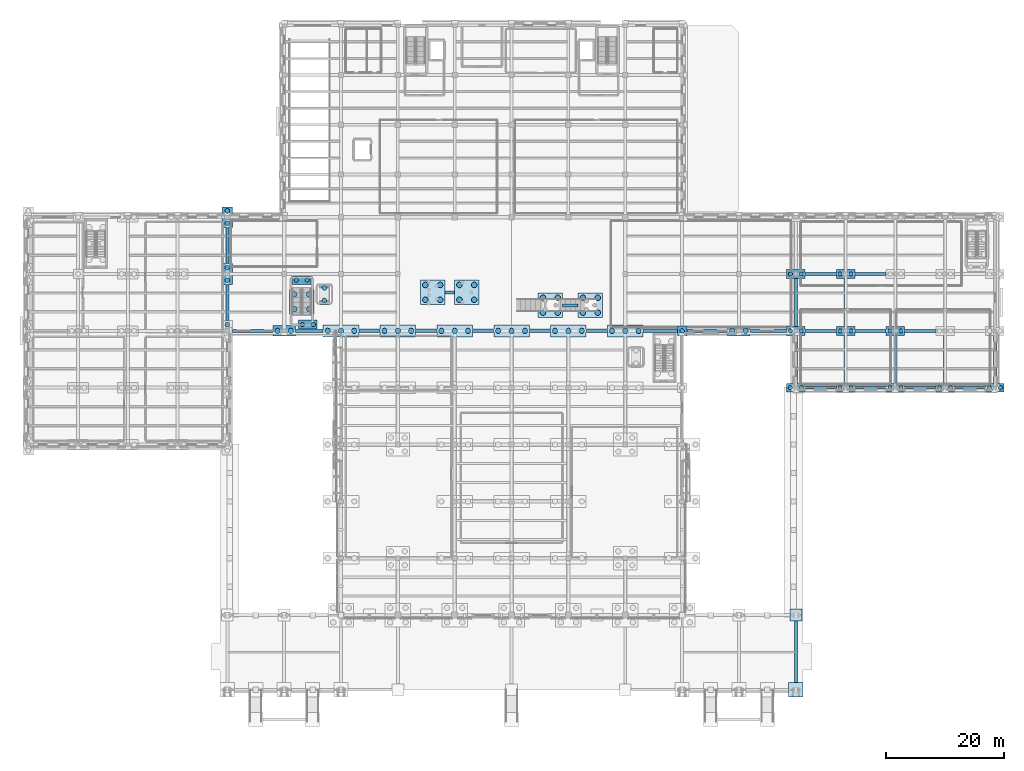
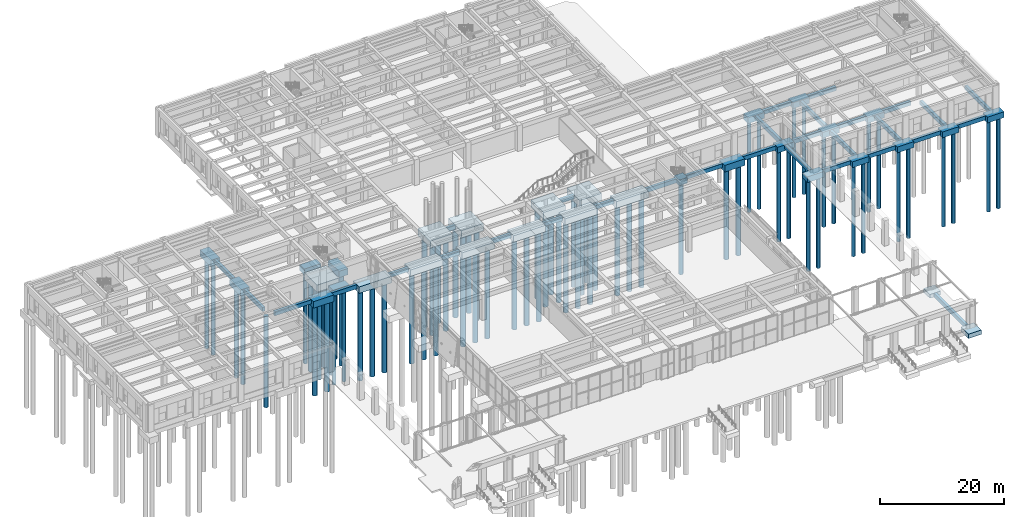
# One storey, part 4 of 51: 74 piles, 62 footings.
"""IFC4 building model written with IfcOpenShell, lengths in metres."""

from ifc_helpers import new_model, si_unit, direction, frame, origin, origin_2d, place, context, subcontext, project, spatial, rectangle, circle, extrude, material, material_profile, profile_set, type_object, element, save


model = new_model("IFC4")

# Units and contexts
model_context = context("Model", 3, precision=1e-05, world=origin(), true_north=direction((0.0, 1.0)))
body_context = subcontext(model_context, "Body", "Model", "MODEL_VIEW")
ifc_project = project(units=[si_unit("LENGTHUNIT", "METRE"), si_unit("AREAUNIT", "SQUARE_METRE"), si_unit("VOLUMEUNIT", "CUBIC_METRE"), si_unit("PLANEANGLEUNIT", "RADIAN"), si_unit("MASSUNIT", "GRAM", prefix="KILO")], contexts=[model_context])

# Site, building, storey
site_placement = place(None, origin())
site = spatial("IfcSite", under=ifc_project, at=site_placement, CompositionType="ELEMENT")
building_placement = place(site_placement, origin())
building = spatial("IfcBuilding", under=site, at=building_placement, Name="Bempovik Park Faculty of Sciences", CompositionType="ELEMENT")
storey_placement = place(building_placement, origin())
storey = spatial("IfcBuildingStorey", under=building, at=storey_placement, Name="L00", CompositionType="ELEMENT", Elevation=0.0)

# Footings
ifc_material = material(Name="Concrete C35/45", Category="concrete")
footing_type_1 = type_object("IfcFootingType", Name="F-19 Pile Cap 3100x1500x1150", PredefinedType="PILE_CAP", material=ifc_material)
for number, where, z_axis, x_axis, name in (
    (1, (136.800048828125, 58.199951171875, -1.510009765625), (0.0, 0.0, 1.0), (1.0, 0.0, 0.0), "Footing FT-L0-1368-582"),
    (2, (136.800048828125, 67.800048828125, -1.510009765625), (0.0, 0.0, 1.0), (1.0, 0.0, 0.0), "Footing FT-L0-1368-678"),
    (3, (136.800048828125, 77.39990234375, -1.510009765625), (0.0, 0.0, 1.0), (1.0, 0.0, 0.0), "Footing FT-L0-1368-774"),
    (4, (145.199951171875, 58.199951171875, -1.510009765625), (0.0, 0.0, 1.0), (1.0, 0.0, 0.0), "Footing FT-L0-1452-582"),
    (5, (145.199951171875, 67.800048828125, -1.510009765625), (0.0, 0.0, 1.0), (1.0, 0.0, 0.0), "Footing FT-L0-1452-678"),
    (6, (145.199951171875, 77.39990234375, -1.510009765625), (0.0, 0.0, 1.0), (1.0, 0.0, 0.0), "Footing FT-L0-1452-774"),
    (7, (153.60009765625, 58.199951171875, -1.510009765625), (0.0, 0.0, 1.0), (1.0, 0.0, 0.0), "Footing FT-L0-1536-582"),
    (8, (153.60009765625, 67.800048828125, -1.510009765625), (0.0, 0.0, 1.0), (1.0, 0.0, 0.0), "Footing FT-L0-1536-678"),
    (9, (162.0, 58.199951171875, -1.510009765625), (0.0, 0.0, 1.0), (1.0, 0.0, 0.0), "Footing FT-L0-1620-582"),
    (10, (170.39990234375, 58.199951171875, -1.510009765625), (0.0, 0.0, 1.0), (1.0, 0.0, 0.0), "Footing FT-L0-1704-582"),
    (11, (54.39990234375, 68.85009765625, -1.510009765625), (0.0, 0.0, 1.0), (1.0, 0.0, 0.0), "Footing FT-ST4-S"),
    (12, (53.375, 76.35009765625, -1.510009765625), (0.0, 0.0, 1.0), (1.0, 0.0, 0.0), "Footing FT-ST4-N"),
):
    element("IfcFooting", number, at=place(storey_placement, frame(where, z_axis=z_axis, x_axis=x_axis)), inside=storey, type_object=footing_type_1, Name=name, PredefinedType="PILE_CAP", context=body_context, shape_type="SweptSolid", body=[
        extrude(rectangle(XDim=3.10009765625, YDim=1.5, at=origin_2d()), origin(), (0.0, 0.0, 1.0), 1.14990234375),
    ])
footing_type_2 = type_object("IfcFootingType", Name="F-21 Pile Cap 4100x4100x1400", PredefinedType="PILE_CAP", material=ifc_material)
for number, where, z_axis, x_axis, name in (
    (13, (53.375, 72.699951171875, -1.760009765625), (0.0, 0.0, 1.0), (1.0, 0.0, 0.0), "Footing FT-ST4-M"),
    (14, (95.35009765625, 72.125, -1.760009765625), (0.0, 0.0, 1.0), (1.0, 0.0, 0.0), "Footing FT-MON-1M"),
    (15, (102.10009765625, 72.125, -1.760009765625), (0.0, 0.0, 1.0), (1.0, 0.0, 0.0), "Footing FT-MON-1A"),
    (16, (75.5, 74.300048828125, -1.760009765625), (0.0, 0.0, 1.0), (1.0, 0.0, 0.0), "Footing FT-MON-2D"),
    (17, (81.25, 74.300048828125, -1.760009765625), (0.0, 0.0, 1.0), (1.0, 0.0, 0.0), "Footing FT-MON-2M"),
):
    element("IfcFooting", number, at=place(storey_placement, frame(where, z_axis=z_axis, x_axis=x_axis)), inside=storey, type_object=footing_type_2, Name=name, PredefinedType="PILE_CAP", context=body_context, shape_type="SweptSolid", body=[
        extrude(rectangle(XDim=4.10009765625, YDim=4.10009765625, at=origin_2d()), origin(), (0.0, 0.0, 1.0), 1.39990234375),
    ])
footing_type_3 = type_object("IfcFootingType", Name="F-28 Pile Cap 6000x2000x1300", PredefinedType="PILE_CAP", material=ifc_material)
for number, where, z_axis, x_axis, name in (
    (18, (60.0, 67.800048828125, -1.66015625), (0.0, 0.0, 1.0), (1.0, 0.0, 0.0), "Footing FT-L0-600-678"),
    (19, (69.60009765625, 67.800048828125, -1.66015625), (0.0, 0.0, 1.0), (1.0, 0.0, 0.0), "Footing FT-L0-696-678"),
    (20, (79.199951171875, 67.800048828125, -1.66015625), (0.0, 0.0, 1.0), (1.0, 0.0, 0.0), "Footing FT-L0-792-678"),
    (21, (88.800048828125, 67.800048828125, -1.66015625), (0.0, 0.0, 1.0), (1.0, 0.0, 0.0), "Footing FT-L0-888-678"),
    (22, (98.39990234375, 67.800048828125, -1.66015625), (0.0, 0.0, 1.0), (1.0, 0.0, 0.0), "Footing FT-L0-984-678"),
    (23, (108.0, 67.800048828125, -1.66015625), (0.0, 0.0, 1.0), (1.0, 0.0, 0.0), "Footing FT-L0-1080-678"),
):
    element("IfcFooting", number, at=place(storey_placement, frame(where, z_axis=z_axis, x_axis=x_axis)), inside=storey, type_object=footing_type_3, Name=name, PredefinedType="PILE_CAP", context=body_context, shape_type="SweptSolid", body=[
        extrude(rectangle(XDim=6.0, YDim=2.0, at=origin_2d()), origin(), (0.0, 0.0, 1.0), 1.300048828125),
    ])
footing_type_4 = type_object("IfcFootingType", Name="F-32 Pad Footing 2400x2400x850", PredefinedType="PAD_FOOTING", material=ifc_material)
footing_1_placement = place(storey_placement, frame((136.800048828125, 7.199951171875, -1.18994140625), z_axis=(0.0, 0.0, 1.0), x_axis=(1.0, 0.0, 0.0)))
element("IfcFooting", 24, at=footing_1_placement, inside=storey, type_object=footing_type_4, Name="Footing PAD-A-1368", PredefinedType="PAD_FOOTING", context=body_context, shape_type="SweptSolid", body=[
    extrude(rectangle(XDim=2.39990234375, YDim=2.39990234375, at=origin_2d()), origin(), (0.0, 0.0, 1.0), 0.85009765625),
])
footing_type_5 = type_object("IfcFootingType", Name="F-34 Pile Cap 3800x1800x1300", PredefinedType="PILE_CAP", material=ifc_material)
for number, where, z_axis, x_axis, name in (
    (25, (50.39990234375, 67.800048828125, -1.66015625), (0.0, 0.0, 1.0), (1.0, 0.0, 0.0), "Footing FT-L0-504-678"),
    (26, (127.199951171875, 67.800048828125, -1.66015625), (0.0, 0.0, 1.0), (1.0, 0.0, 0.0), "Footing FT-L0-1272-678"),
):
    element("IfcFooting", number, at=place(storey_placement, frame(where, z_axis=z_axis, x_axis=x_axis)), inside=storey, type_object=footing_type_5, Name=name, PredefinedType="PILE_CAP", context=body_context, shape_type="SweptSolid", body=[
        extrude(rectangle(XDim=3.800048828125, YDim=1.800048828125, at=origin_2d()), origin(), (0.0, 0.0, 1.0), 1.300048828125),
    ])
footing_type_6 = type_object("IfcFootingType", Name="F-35 Pile Cap 1600x1600x1100", PredefinedType="PILE_CAP", material=ifc_material)
footing_2_placement = place(storey_placement, frame((117.60009765625, 67.800048828125, -1.4599609375), z_axis=(0.0, 0.0, 1.0), x_axis=(1.0, 0.0, 0.0)))
element("IfcFooting", 27, at=footing_2_placement, inside=storey, type_object=footing_type_6, Name="Footing FT-L0-1176-678", PredefinedType="PILE_CAP", context=body_context, shape_type="SweptSolid", body=[
    extrude(rectangle(XDim=1.60009765625, YDim=1.60009765625, at=origin_2d()), origin(), (0.0, 0.0, 1.0), 1.10009765625),
])
footing_type_7 = type_object("IfcFootingType", Name="F-48 GB 500x800", PredefinedType="FOOTING_BEAM", material=ifc_material)
footing_3_placement = place(storey_placement, frame((40.800048828125, 72.60009765625, -1.16015625), z_axis=(0.0, 0.0, 1.0), x_axis=(1.0, 0.0, 0.0)))
element("IfcFooting", 28, at=footing_3_placement, inside=storey, type_object=footing_type_7, Name="Ground Tie Beam GB-Y-041", PredefinedType="FOOTING_BEAM", context=body_context, shape_type="SweptSolid", body=[
    extrude(rectangle(XDim=0.5, YDim=6.06005859375, at=origin_2d()), origin(), (0.0, 0.0, 1.0), 0.800048828125),
])
footing_4_placement = place(storey_placement, frame((45.074951171875, 67.800048828125, -1.16015625), z_axis=(0.0, 0.0, 1.0), x_axis=(1.0, 0.0, 0.0)))
element("IfcFooting", 29, at=footing_4_placement, inside=storey, type_object=footing_type_7, Name="Ground Tie Beam GB-X-042", PredefinedType="FOOTING_BEAM", context=body_context, shape_type="SweptSolid", body=[
    extrude(rectangle(XDim=6.81005859375, YDim=0.5, at=origin_2d()), origin(), (0.0, 0.0, 1.0), 0.800048828125),
])
footing_5_placement = place(storey_placement, frame((40.800048828125, 82.199951171875, -1.16015625), z_axis=(0.0, 0.0, 1.0), x_axis=(1.0, 0.0, 0.0)))
element("IfcFooting", 30, at=footing_5_placement, inside=storey, type_object=footing_type_7, Name="Ground Tie Beam GB-Y-043", PredefinedType="FOOTING_BEAM", context=body_context, shape_type="SweptSolid", body=[
    extrude(rectangle(XDim=0.5, YDim=6.06005859375, at=origin_2d()), origin(), (0.0, 0.0, 1.0), 0.800048828125),
])
footing_6_placement = place(storey_placement, frame((54.64990234375, 67.800048828125, -1.16015625), z_axis=(0.0, 0.0, 1.0), x_axis=(1.0, 0.0, 0.0)))
element("IfcFooting", 31, at=footing_6_placement, inside=storey, type_object=footing_type_7, Name="Ground Tie Beam GB-X-049", PredefinedType="FOOTING_BEAM", context=body_context, shape_type="SweptSolid", body=[
    extrude(rectangle(XDim=4.659912109375, YDim=0.5, at=origin_2d()), origin(), (0.0, 0.0, 1.0), 0.800048828125),
])
for number, where, z_axis, x_axis, name in (
    (32, (64.800048828125, 67.800048828125, -1.16015625), (0.0, 0.0, 1.0), (1.0, 0.0, 0.0), "Ground Tie Beam GB-X-062"),
    (33, (74.39990234375, 67.800048828125, -1.16015625), (0.0, 0.0, 1.0), (1.0, 0.0, 0.0), "Ground Tie Beam GB-X-071"),
):
    element("IfcFooting", number, at=place(storey_placement, frame(where, z_axis=z_axis, x_axis=x_axis)), inside=storey, type_object=footing_type_7, Name=name, PredefinedType="FOOTING_BEAM", context=body_context, shape_type="SweptSolid", body=[
        extrude(rectangle(XDim=3.56005859375, YDim=0.5, at=origin_2d()), origin(), (0.0, 0.0, 1.0), 0.800048828125),
    ])
footing_7_placement = place(storey_placement, frame((78.375, 74.300048828125, -1.16015625), z_axis=(0.0, 0.0, 1.0), x_axis=(1.0, 0.0, 0.0)))
element("IfcFooting", 34, at=footing_7_placement, inside=storey, type_object=footing_type_7, Name="Ground Tie Beam GB-X-072", PredefinedType="FOOTING_BEAM", context=body_context, shape_type="SweptSolid", body=[
    extrude(rectangle(XDim=1.610107421875, YDim=0.5, at=origin_2d()), origin(), (0.0, 0.0, 1.0), 0.800048828125),
])
for number, where, z_axis, x_axis, name in (
    (35, (84.0, 67.800048828125, -1.16015625), (0.0, 0.0, 1.0), (1.0, 0.0, 0.0), "Ground Tie Beam GB-X-083"),
    (36, (93.60009765625, 67.800048828125, -1.16015625), (0.0, 0.0, 1.0), (1.0, 0.0, 0.0), "Ground Tie Beam GB-X-095"),
):
    element("IfcFooting", number, at=place(storey_placement, frame(where, z_axis=z_axis, x_axis=x_axis)), inside=storey, type_object=footing_type_7, Name=name, PredefinedType="FOOTING_BEAM", context=body_context, shape_type="SweptSolid", body=[
        extrude(rectangle(XDim=3.56005859375, YDim=0.5, at=origin_2d()), origin(), (0.0, 0.0, 1.0), 0.800048828125),
    ])
footing_8_placement = place(storey_placement, frame((98.72509765625, 72.1201171875, -1.16015625), z_axis=(0.0, 0.0, 1.0), x_axis=(1.0, 0.0, 0.0)))
element("IfcFooting", 37, at=footing_8_placement, inside=storey, type_object=footing_type_7, Name="Ground Tie Beam GB-X-096", PredefinedType="FOOTING_BEAM", context=body_context, shape_type="SweptSolid", body=[
    extrude(rectangle(XDim=2.610107421875, YDim=0.5, at=origin_2d()), origin(), (0.0, 0.0, 1.0), 0.800048828125),
])
footing_9_placement = place(storey_placement, frame((103.199951171875, 67.800048828125, -1.16015625), z_axis=(0.0, 0.0, 1.0), x_axis=(1.0, 0.0, 0.0)))
element("IfcFooting", 38, at=footing_9_placement, inside=storey, type_object=footing_type_7, Name="Ground Tie Beam GB-X-106", PredefinedType="FOOTING_BEAM", context=body_context, shape_type="SweptSolid", body=[
    extrude(rectangle(XDim=3.56005859375, YDim=0.5, at=origin_2d()), origin(), (0.0, 0.0, 1.0), 0.800048828125),
])
footing_10_placement = place(storey_placement, frame((113.89990234375, 67.800048828125, -1.16015625), z_axis=(0.0, 0.0, 1.0), x_axis=(1.0, 0.0, 0.0)))
element("IfcFooting", 39, at=footing_10_placement, inside=storey, type_object=footing_type_7, Name="Ground Tie Beam GB-X-116", PredefinedType="FOOTING_BEAM", context=body_context, shape_type="SweptSolid", body=[
    extrude(rectangle(XDim=5.760009765625, YDim=0.5, at=origin_2d()), origin(), (0.0, 0.0, 1.0), 0.800048828125),
])
footing_11_placement = place(storey_placement, frame((121.85009765625, 67.800048828125, -1.16015625), z_axis=(0.0, 0.0, 1.0), x_axis=(1.0, 0.0, 0.0)))
element("IfcFooting", 40, at=footing_11_placement, inside=storey, type_object=footing_type_7, Name="Ground Tie Beam GB-X-125", PredefinedType="FOOTING_BEAM", context=body_context, shape_type="SweptSolid", body=[
    extrude(rectangle(XDim=6.860107421875, YDim=0.5, at=origin_2d()), origin(), (0.0, 0.0, 1.0), 0.800048828125),
])
footing_12_placement = place(storey_placement, frame((132.175048828125, 67.800048828125, -1.16015625), z_axis=(0.0, 0.0, 1.0), x_axis=(1.0, 0.0, 0.0)))
element("IfcFooting", 41, at=footing_12_placement, inside=storey, type_object=footing_type_7, Name="Ground Tie Beam GB-X-131", PredefinedType="FOOTING_BEAM", context=body_context, shape_type="SweptSolid", body=[
    extrude(rectangle(XDim=6.110107421875, YDim=0.5, at=origin_2d()), origin(), (0.0, 0.0, 1.0), 0.800048828125),
])
footing_13_placement = place(storey_placement, frame((136.800048828125, 13.60009765625, -1.14013671875), z_axis=(0.0, 0.0, 1.0), x_axis=(1.0, 0.0, 0.0)))
element("IfcFooting", 42, at=footing_13_placement, inside=storey, type_object=footing_type_7, Name="Ground Tie Beam GB-Y-133", PredefinedType="FOOTING_BEAM", context=body_context, shape_type="SweptSolid", body=[
    extrude(rectangle(XDim=0.5, YDim=10.360107421875, at=origin_2d()), origin(), (0.0, 0.0, 1.0), 0.800048828125),
])
footing_14_placement = place(storey_placement, frame((136.800048828125, 63.0, -1.16015625), z_axis=(0.0, 0.0, 1.0), x_axis=(1.0, 0.0, 0.0)))
element("IfcFooting", 43, at=footing_14_placement, inside=storey, type_object=footing_type_7, Name="Ground Tie Beam GB-Y-134", PredefinedType="FOOTING_BEAM", context=body_context, shape_type="SweptSolid", body=[
    extrude(rectangle(XDim=0.5, YDim=8.06005859375, at=origin_2d()), origin(), (0.0, 0.0, 1.0), 0.800048828125),
])
footing_15_placement = place(storey_placement, frame((141.0, 58.199951171875, -1.16015625), z_axis=(0.0, 0.0, 1.0), x_axis=(1.0, 0.0, 0.0)))
element("IfcFooting", 44, at=footing_15_placement, inside=storey, type_object=footing_type_7, Name="Ground Tie Beam GB-X-135", PredefinedType="FOOTING_BEAM", context=body_context, shape_type="SweptSolid", body=[
    extrude(rectangle(XDim=5.260009765625, YDim=0.5, at=origin_2d()), origin(), (0.0, 0.0, 1.0), 0.800048828125),
])
footing_16_placement = place(storey_placement, frame((136.800048828125, 72.60009765625, -1.16015625), z_axis=(0.0, 0.0, 1.0), x_axis=(1.0, 0.0, 0.0)))
element("IfcFooting", 45, at=footing_16_placement, inside=storey, type_object=footing_type_7, Name="Ground Tie Beam GB-Y-136", PredefinedType="FOOTING_BEAM", context=body_context, shape_type="SweptSolid", body=[
    extrude(rectangle(XDim=0.5, YDim=8.06005859375, at=origin_2d()), origin(), (0.0, 0.0, 1.0), 0.800048828125),
])
for number, where, z_axis, x_axis, name in (
    (46, (141.0, 67.800048828125, -1.16015625), (0.0, 0.0, 1.0), (1.0, 0.0, 0.0), "Ground Tie Beam GB-X-137"),
    (47, (141.0, 77.39990234375, -1.16015625), (0.0, 0.0, 1.0), (1.0, 0.0, 0.0), "Ground Tie Beam GB-X-139"),
):
    element("IfcFooting", number, at=place(storey_placement, frame(where, z_axis=z_axis, x_axis=x_axis)), inside=storey, type_object=footing_type_7, Name=name, PredefinedType="FOOTING_BEAM", context=body_context, shape_type="SweptSolid", body=[
        extrude(rectangle(XDim=5.260009765625, YDim=0.5, at=origin_2d()), origin(), (0.0, 0.0, 1.0), 0.800048828125),
    ])
footing_17_placement = place(storey_placement, frame((145.199951171875, 63.0, -1.16015625), z_axis=(0.0, 0.0, 1.0), x_axis=(1.0, 0.0, 0.0)))
element("IfcFooting", 48, at=footing_17_placement, inside=storey, type_object=footing_type_7, Name="Ground Tie Beam GB-Y-141", PredefinedType="FOOTING_BEAM", context=body_context, shape_type="SweptSolid", body=[
    extrude(rectangle(XDim=0.5, YDim=8.06005859375, at=origin_2d()), origin(), (0.0, 0.0, 1.0), 0.800048828125),
])
footing_18_placement = place(storey_placement, frame((149.39990234375, 58.199951171875, -1.16015625), z_axis=(0.0, 0.0, 1.0), x_axis=(1.0, 0.0, 0.0)))
element("IfcFooting", 49, at=footing_18_placement, inside=storey, type_object=footing_type_7, Name="Ground Tie Beam GB-X-142", PredefinedType="FOOTING_BEAM", context=body_context, shape_type="SweptSolid", body=[
    extrude(rectangle(XDim=5.260009765625, YDim=0.5, at=origin_2d()), origin(), (0.0, 0.0, 1.0), 0.800048828125),
])
footing_19_placement = place(storey_placement, frame((145.199951171875, 72.60009765625, -1.16015625), z_axis=(0.0, 0.0, 1.0), x_axis=(1.0, 0.0, 0.0)))
element("IfcFooting", 50, at=footing_19_placement, inside=storey, type_object=footing_type_7, Name="Ground Tie Beam GB-Y-143", PredefinedType="FOOTING_BEAM", context=body_context, shape_type="SweptSolid", body=[
    extrude(rectangle(XDim=0.5, YDim=8.06005859375, at=origin_2d()), origin(), (0.0, 0.0, 1.0), 0.800048828125),
])
for number, where, z_axis, x_axis, name in (
    (51, (149.39990234375, 67.800048828125, -1.16015625), (0.0, 0.0, 1.0), (1.0, 0.0, 0.0), "Ground Tie Beam GB-X-144"),
    (52, (149.39990234375, 77.39990234375, -1.16015625), (0.0, 0.0, 1.0), (1.0, 0.0, 0.0), "Ground Tie Beam GB-X-146"),
):
    element("IfcFooting", number, at=place(storey_placement, frame(where, z_axis=z_axis, x_axis=x_axis)), inside=storey, type_object=footing_type_7, Name=name, PredefinedType="FOOTING_BEAM", context=body_context, shape_type="SweptSolid", body=[
        extrude(rectangle(XDim=5.260009765625, YDim=0.5, at=origin_2d()), origin(), (0.0, 0.0, 1.0), 0.800048828125),
    ])
footing_20_placement = place(storey_placement, frame((153.60009765625, 63.0, -1.16015625), z_axis=(0.0, 0.0, 1.0), x_axis=(1.0, 0.0, 0.0)))
element("IfcFooting", 53, at=footing_20_placement, inside=storey, type_object=footing_type_7, Name="Ground Tie Beam GB-Y-148", PredefinedType="FOOTING_BEAM", context=body_context, shape_type="SweptSolid", body=[
    extrude(rectangle(XDim=0.5, YDim=8.06005859375, at=origin_2d()), origin(), (0.0, 0.0, 1.0), 0.800048828125),
])
for number, where, z_axis, x_axis, name in (
    (54, (157.800048828125, 58.199951171875, -1.16015625), (0.0, 0.0, 1.0), (1.0, 0.0, 0.0), "Ground Tie Beam GB-X-149"),
    (55, (157.800048828125, 67.800048828125, -1.16015625), (0.0, 0.0, 1.0), (1.0, 0.0, 0.0), "Ground Tie Beam GB-X-151"),
):
    element("IfcFooting", number, at=place(storey_placement, frame(where, z_axis=z_axis, x_axis=x_axis)), inside=storey, type_object=footing_type_7, Name=name, PredefinedType="FOOTING_BEAM", context=body_context, shape_type="SweptSolid", body=[
        extrude(rectangle(XDim=5.260009765625, YDim=0.5, at=origin_2d()), origin(), (0.0, 0.0, 1.0), 0.800048828125),
    ])
footing_21_placement = place(storey_placement, frame((162.0, 63.0, -1.16015625), z_axis=(0.0, 0.0, 1.0), x_axis=(1.0, 0.0, 0.0)))
element("IfcFooting", 56, at=footing_21_placement, inside=storey, type_object=footing_type_7, Name="Ground Tie Beam GB-Y-155", PredefinedType="FOOTING_BEAM", context=body_context, shape_type="SweptSolid", body=[
    extrude(rectangle(XDim=0.5, YDim=8.06005859375, at=origin_2d()), origin(), (0.0, 0.0, 1.0), 0.800048828125),
])
footing_22_placement = place(storey_placement, frame((166.199951171875, 58.199951171875, -1.16015625), z_axis=(0.0, 0.0, 1.0), x_axis=(1.0, 0.0, 0.0)))
element("IfcFooting", 57, at=footing_22_placement, inside=storey, type_object=footing_type_7, Name="Ground Tie Beam GB-X-156", PredefinedType="FOOTING_BEAM", context=body_context, shape_type="SweptSolid", body=[
    extrude(rectangle(XDim=5.260009765625, YDim=0.5, at=origin_2d()), origin(), (0.0, 0.0, 1.0), 0.800048828125),
])
footing_23_placement = place(storey_placement, frame((170.39990234375, 63.0, -1.16015625), z_axis=(0.0, 0.0, 1.0), x_axis=(1.0, 0.0, 0.0)))
element("IfcFooting", 58, at=footing_23_placement, inside=storey, type_object=footing_type_7, Name="Ground Tie Beam GB-Y-161", PredefinedType="FOOTING_BEAM", context=body_context, shape_type="SweptSolid", body=[
    extrude(rectangle(XDim=0.5, YDim=8.06005859375, at=origin_2d()), origin(), (0.0, 0.0, 1.0), 0.800048828125),
])
footing_type_8 = type_object("IfcFootingType", Name="F-52 Pad Footing 2000x2000x750", PredefinedType="PAD_FOOTING", material=ifc_material)
footing_24_placement = place(storey_placement, frame((136.800048828125, 19.800048828125, -1.090087890625), z_axis=(0.0, 0.0, 1.0), x_axis=(1.0, 0.0, 0.0)))
element("IfcFooting", 59, at=footing_24_placement, inside=storey, type_object=footing_type_8, Name="Footing PAD-B-1368", PredefinedType="PAD_FOOTING", context=body_context, shape_type="SweptSolid", body=[
    extrude(rectangle(XDim=2.0, YDim=2.0, at=origin_2d()), origin(), (0.0, 0.0, 1.0), 0.75),
])
footing_type_9 = type_object("IfcFootingType", Name="F-54 Pile Cap 1700x3500x1250", PredefinedType="PILE_CAP", material=ifc_material)
for number, where, z_axis, x_axis, name in (
    (60, (40.800048828125, 77.39990234375, -1.610107421875), (0.0, 0.0, 1.0), (1.0, 0.0, 0.0), "Footing FT-L0-408-774"),
    (61, (40.800048828125, 87.0, -1.610107421875), (0.0, 0.0, 1.0), (1.0, 0.0, 0.0), "Footing FT-L0-408-870"),
    (62, (57.199951171875, 74.0, -1.610107421875), (0.0, 0.0, 1.0), (1.0, 0.0, 0.0), "Footing FT-LF3-A"),
):
    element("IfcFooting", number, at=place(storey_placement, frame(where, z_axis=z_axis, x_axis=x_axis)), inside=storey, type_object=footing_type_9, Name=name, PredefinedType="PILE_CAP", context=body_context, shape_type="SweptSolid", body=[
        extrude(rectangle(XDim=1.699951171875, YDim=3.5, at=origin_2d()), origin(), (0.0, 0.0, 1.0), 1.25),
    ])

# Piles
ifc_material_profile_1 = material_profile(ifc_material, circle(Radius=0.39990234375, at=origin_2d()), Name="BP D800")
ifc_profile_set_1 = profile_set([ifc_material_profile_1], Name="Concrete C35/45")
pile_type_1 = type_object("IfcPileType", Name="P-12 BP D800", PredefinedType="BORED", material=ifc_profile_set_1)
for number, where, z_axis, x_axis, name in (
    (63, (40.800048828125, 68.85009765625, -1.510009765625), (0.0, 0.0, -1.0), (1.0, 0.0, 0.0), "Bored Pile FT-L0-408-678-P2"),
    (64, (40.800048828125, 76.35009765625, -1.510009765625), (0.0, 0.0, -1.0), (1.0, 0.0, 0.0), "Bored Pile FT-L0-408-774-P1"),
    (65, (40.800048828125, 78.449951171875, -1.510009765625), (0.0, 0.0, -1.0), (1.0, 0.0, 0.0), "Bored Pile FT-L0-408-774-P2"),
    (66, (40.800048828125, 85.949951171875, -1.510009765625), (0.0, 0.0, -1.0), (1.0, 0.0, 0.0), "Bored Pile FT-L0-408-870-P1"),
    (67, (40.800048828125, 88.050048828125, -1.510009765625), (0.0, 0.0, -1.0), (1.0, 0.0, 0.0), "Bored Pile FT-L0-408-870-P2"),
):
    element("IfcPile", number, at=place(storey_placement, frame(where, z_axis=z_axis, x_axis=x_axis)), inside=storey, type_object=pile_type_1, Name=name, PredefinedType="BORED", context=body_context, shape_type="SweptSolid", body=[
        extrude(circle(Radius=0.39990234375, at=origin_2d()), origin(), (0.0, 0.0, 1.0), 17.989990234375),
    ])
pile_placement = place(storey_placement, frame((117.60009765625, 67.800048828125, -1.360107421875), z_axis=(0.0, 0.0, -1.0), x_axis=(1.0, 0.0, 0.0)))
element("IfcPile", 68, at=pile_placement, inside=storey, type_object=pile_type_1, Name="Bored Pile FT-L0-1176-678-P1", PredefinedType="BORED", context=body_context, shape_type="SweptSolid", body=[
    extrude(circle(Radius=0.39990234375, at=origin_2d()), origin(), (0.0, 0.0, 1.0), 18.139892578125),
])
for number, where, z_axis, x_axis, name in (
    (69, (57.199951171875, 72.949951171875, -1.510009765625), (0.0, 0.0, -1.0), (1.0, 0.0, 0.0), "Bored Pile FT-LF3-A-P1"),
    (70, (57.199951171875, 75.050048828125, -1.510009765625), (0.0, 0.0, -1.0), (1.0, 0.0, 0.0), "Bored Pile FT-LF3-A-P2"),
):
    element("IfcPile", number, at=place(storey_placement, frame(where, z_axis=z_axis, x_axis=x_axis)), inside=storey, type_object=pile_type_1, Name=name, PredefinedType="BORED", context=body_context, shape_type="SweptSolid", body=[
        extrude(circle(Radius=0.39990234375, at=origin_2d()), origin(), (0.0, 0.0, 1.0), 17.989990234375),
    ])
ifc_material_profile_2 = material_profile(ifc_material, circle(Radius=0.47509765625, at=origin_2d()), Name="BP D950")
ifc_profile_set_2 = profile_set([ifc_material_profile_2], Name="Concrete C35/45")
pile_type_2 = type_object("IfcPileType", Name="P-14 BP D950", PredefinedType="BORED", material=ifc_profile_set_2)
for number, where, z_axis, x_axis, name in (
    (71, (52.125, 71.449951171875, -1.659912109375), (0.0, 0.0, -1.0), (1.0, 0.0, 0.0), "Bored Pile FT-ST4-M-P1"),
    (72, (52.125, 73.949951171875, -1.659912109375), (0.0, 0.0, -1.0), (1.0, 0.0, 0.0), "Bored Pile FT-ST4-M-P2"),
    (73, (54.625, 71.449951171875, -1.659912109375), (0.0, 0.0, -1.0), (1.0, 0.0, 0.0), "Bored Pile FT-ST4-M-P3"),
    (74, (54.625, 73.949951171875, -1.659912109375), (0.0, 0.0, -1.0), (1.0, 0.0, 0.0), "Bored Pile FT-ST4-M-P4"),
    (75, (94.10009765625, 70.875, -1.659912109375), (0.0, 0.0, -1.0), (1.0, 0.0, 0.0), "Bored Pile FT-MON-1M-P1"),
    (76, (94.10009765625, 73.375, -1.659912109375), (0.0, 0.0, -1.0), (1.0, 0.0, 0.0), "Bored Pile FT-MON-1M-P2"),
    (77, (96.60009765625, 70.875, -1.659912109375), (0.0, 0.0, -1.0), (1.0, 0.0, 0.0), "Bored Pile FT-MON-1M-P3"),
    (78, (96.60009765625, 73.375, -1.659912109375), (0.0, 0.0, -1.0), (1.0, 0.0, 0.0), "Bored Pile FT-MON-1M-P4"),
    (79, (100.85009765625, 70.875, -1.659912109375), (0.0, 0.0, -1.0), (1.0, 0.0, 0.0), "Bored Pile FT-MON-1A-P1"),
    (80, (100.85009765625, 73.375, -1.659912109375), (0.0, 0.0, -1.0), (1.0, 0.0, 0.0), "Bored Pile FT-MON-1A-P2"),
    (81, (103.35009765625, 70.875, -1.659912109375), (0.0, 0.0, -1.0), (1.0, 0.0, 0.0), "Bored Pile FT-MON-1A-P3"),
    (82, (103.35009765625, 73.375, -1.659912109375), (0.0, 0.0, -1.0), (1.0, 0.0, 0.0), "Bored Pile FT-MON-1A-P4"),
    (83, (74.25, 73.050048828125, -1.659912109375), (0.0, 0.0, -1.0), (1.0, 0.0, 0.0), "Bored Pile FT-MON-2D-P1"),
    (84, (74.25, 75.550048828125, -1.659912109375), (0.0, 0.0, -1.0), (1.0, 0.0, 0.0), "Bored Pile FT-MON-2D-P2"),
    (85, (76.75, 73.050048828125, -1.659912109375), (0.0, 0.0, -1.0), (1.0, 0.0, 0.0), "Bored Pile FT-MON-2D-P3"),
    (86, (76.75, 75.550048828125, -1.659912109375), (0.0, 0.0, -1.0), (1.0, 0.0, 0.0), "Bored Pile FT-MON-2D-P4"),
    (87, (80.0, 73.050048828125, -1.659912109375), (0.0, 0.0, -1.0), (1.0, 0.0, 0.0), "Bored Pile FT-MON-2M-P1"),
    (88, (80.0, 75.550048828125, -1.659912109375), (0.0, 0.0, -1.0), (1.0, 0.0, 0.0), "Bored Pile FT-MON-2M-P2"),
    (89, (82.5, 73.050048828125, -1.659912109375), (0.0, 0.0, -1.0), (1.0, 0.0, 0.0), "Bored Pile FT-MON-2M-P3"),
    (90, (82.5, 75.550048828125, -1.659912109375), (0.0, 0.0, -1.0), (1.0, 0.0, 0.0), "Bored Pile FT-MON-2M-P4"),
):
    element("IfcPile", number, at=place(storey_placement, frame(where, z_axis=z_axis, x_axis=x_axis)), inside=storey, type_object=pile_type_2, Name=name, PredefinedType="BORED", context=body_context, shape_type="SweptSolid", body=[
        extrude(circle(Radius=0.47509765625, at=origin_2d()), origin(), (0.0, 0.0, 1.0), 17.840087890625),
    ])
ifc_material_profile_3 = material_profile(ifc_material, circle(Radius=0.35009765625, at=origin_2d()), Name="BP D700")
ifc_profile_set_3 = profile_set([ifc_material_profile_3], Name="Concrete C35/45")
pile_type_3 = type_object("IfcPileType", Name="P-16 BP D700", PredefinedType="BORED", material=ifc_profile_set_3)
for number, where, z_axis, x_axis, name in (
    (91, (135.875, 58.199951171875, -1.409912109375), (0.0, 0.0, -1.0), (1.0, 0.0, 0.0), "Bored Pile FT-L0-1368-582-P1"),
    (92, (137.72509765625, 58.199951171875, -1.409912109375), (0.0, 0.0, -1.0), (1.0, 0.0, 0.0), "Bored Pile FT-L0-1368-582-P2"),
    (93, (135.875, 67.800048828125, -1.409912109375), (0.0, 0.0, -1.0), (1.0, 0.0, 0.0), "Bored Pile FT-L0-1368-678-P1"),
    (94, (137.72509765625, 67.800048828125, -1.409912109375), (0.0, 0.0, -1.0), (1.0, 0.0, 0.0), "Bored Pile FT-L0-1368-678-P2"),
    (95, (135.875, 77.39990234375, -1.409912109375), (0.0, 0.0, -1.0), (1.0, 0.0, 0.0), "Bored Pile FT-L0-1368-774-P1"),
    (96, (137.72509765625, 77.39990234375, -1.409912109375), (0.0, 0.0, -1.0), (1.0, 0.0, 0.0), "Bored Pile FT-L0-1368-774-P2"),
    (97, (144.27490234375, 58.199951171875, -1.409912109375), (0.0, 0.0, -1.0), (1.0, 0.0, 0.0), "Bored Pile FT-L0-1452-582-P1"),
    (98, (146.125, 58.199951171875, -1.409912109375), (0.0, 0.0, -1.0), (1.0, 0.0, 0.0), "Bored Pile FT-L0-1452-582-P2"),
    (99, (144.27490234375, 67.800048828125, -1.409912109375), (0.0, 0.0, -1.0), (1.0, 0.0, 0.0), "Bored Pile FT-L0-1452-678-P1"),
    (100, (146.125, 67.800048828125, -1.409912109375), (0.0, 0.0, -1.0), (1.0, 0.0, 0.0), "Bored Pile FT-L0-1452-678-P2"),
    (101, (144.27490234375, 77.39990234375, -1.409912109375), (0.0, 0.0, -1.0), (1.0, 0.0, 0.0), "Bored Pile FT-L0-1452-774-P1"),
    (102, (146.125, 77.39990234375, -1.409912109375), (0.0, 0.0, -1.0), (1.0, 0.0, 0.0), "Bored Pile FT-L0-1452-774-P2"),
    (103, (152.675048828125, 58.199951171875, -1.409912109375), (0.0, 0.0, -1.0), (1.0, 0.0, 0.0), "Bored Pile FT-L0-1536-582-P1"),
    (104, (154.52490234375, 58.199951171875, -1.409912109375), (0.0, 0.0, -1.0), (1.0, 0.0, 0.0), "Bored Pile FT-L0-1536-582-P2"),
    (105, (152.675048828125, 67.800048828125, -1.409912109375), (0.0, 0.0, -1.0), (1.0, 0.0, 0.0), "Bored Pile FT-L0-1536-678-P1"),
    (106, (154.52490234375, 67.800048828125, -1.409912109375), (0.0, 0.0, -1.0), (1.0, 0.0, 0.0), "Bored Pile FT-L0-1536-678-P2"),
    (107, (161.074951171875, 58.199951171875, -1.409912109375), (0.0, 0.0, -1.0), (1.0, 0.0, 0.0), "Bored Pile FT-L0-1620-582-P1"),
    (108, (162.925048828125, 58.199951171875, -1.409912109375), (0.0, 0.0, -1.0), (1.0, 0.0, 0.0), "Bored Pile FT-L0-1620-582-P2"),
    (109, (169.47509765625, 58.199951171875, -1.409912109375), (0.0, 0.0, -1.0), (1.0, 0.0, 0.0), "Bored Pile FT-L0-1704-582-P1"),
    (110, (171.324951171875, 58.199951171875, -1.409912109375), (0.0, 0.0, -1.0), (1.0, 0.0, 0.0), "Bored Pile FT-L0-1704-582-P2"),
    (111, (53.47509765625, 68.85009765625, -1.409912109375), (0.0, 0.0, -1.0), (1.0, 0.0, 0.0), "Bored Pile FT-ST4-S-P1"),
    (112, (55.324951171875, 68.85009765625, -1.409912109375), (0.0, 0.0, -1.0), (1.0, 0.0, 0.0), "Bored Pile FT-ST4-S-P2"),
    (113, (52.449951171875, 76.35009765625, -1.409912109375), (0.0, 0.0, -1.0), (1.0, 0.0, 0.0), "Bored Pile FT-ST4-N-P1"),
    (114, (54.300048828125, 76.35009765625, -1.409912109375), (0.0, 0.0, -1.0), (1.0, 0.0, 0.0), "Bored Pile FT-ST4-N-P2"),
):
    element("IfcPile", number, at=place(storey_placement, frame(where, z_axis=z_axis, x_axis=x_axis)), inside=storey, type_object=pile_type_3, Name=name, PredefinedType="BORED", context=body_context, shape_type="SweptSolid", body=[
        extrude(circle(Radius=0.35009765625, at=origin_2d()), origin(), (0.0, 0.0, 1.0), 18.090087890625),
    ])
ifc_material_profile_4 = material_profile(ifc_material, circle(Radius=0.449951171875, at=origin_2d()), Name="BP D900")
ifc_profile_set_4 = profile_set([ifc_material_profile_4], Name="Concrete C35/45")
pile_type_4 = type_object("IfcPileType", Name="P-20 BP D900", PredefinedType="BORED", material=ifc_profile_set_4)
for number, where, z_axis, x_axis, name in (
    (115, (49.27490234375, 67.800048828125, -1.56005859375), (0.0, 0.0, -1.0), (1.0, 0.0, 0.0), "Bored Pile FT-L0-504-678-P1"),
    (116, (51.52490234375, 67.800048828125, -1.56005859375), (0.0, 0.0, -1.0), (1.0, 0.0, 0.0), "Bored Pile FT-L0-504-678-P2"),
    (117, (57.75, 67.800048828125, -1.56005859375), (0.0, 0.0, -1.0), (1.0, 0.0, 0.0), "Bored Pile FT-L0-600-678-P1"),
    (118, (60.0, 67.800048828125, -1.56005859375), (0.0, 0.0, -1.0), (1.0, 0.0, 0.0), "Bored Pile FT-L0-600-678-P2"),
    (119, (62.25, 67.800048828125, -1.56005859375), (0.0, 0.0, -1.0), (1.0, 0.0, 0.0), "Bored Pile FT-L0-600-678-P3"),
    (120, (67.35009765625, 67.800048828125, -1.56005859375), (0.0, 0.0, -1.0), (1.0, 0.0, 0.0), "Bored Pile FT-L0-696-678-P1"),
    (121, (69.60009765625, 67.800048828125, -1.56005859375), (0.0, 0.0, -1.0), (1.0, 0.0, 0.0), "Bored Pile FT-L0-696-678-P2"),
    (122, (71.85009765625, 67.800048828125, -1.56005859375), (0.0, 0.0, -1.0), (1.0, 0.0, 0.0), "Bored Pile FT-L0-696-678-P3"),
    (123, (76.949951171875, 67.800048828125, -1.56005859375), (0.0, 0.0, -1.0), (1.0, 0.0, 0.0), "Bored Pile FT-L0-792-678-P1"),
    (124, (79.199951171875, 67.800048828125, -1.56005859375), (0.0, 0.0, -1.0), (1.0, 0.0, 0.0), "Bored Pile FT-L0-792-678-P2"),
    (125, (81.449951171875, 67.800048828125, -1.56005859375), (0.0, 0.0, -1.0), (1.0, 0.0, 0.0), "Bored Pile FT-L0-792-678-P3"),
    (126, (86.550048828125, 67.800048828125, -1.56005859375), (0.0, 0.0, -1.0), (1.0, 0.0, 0.0), "Bored Pile FT-L0-888-678-P1"),
    (127, (88.800048828125, 67.800048828125, -1.56005859375), (0.0, 0.0, -1.0), (1.0, 0.0, 0.0), "Bored Pile FT-L0-888-678-P2"),
    (128, (91.050048828125, 67.800048828125, -1.56005859375), (0.0, 0.0, -1.0), (1.0, 0.0, 0.0), "Bored Pile FT-L0-888-678-P3"),
    (129, (96.14990234375, 67.800048828125, -1.56005859375), (0.0, 0.0, -1.0), (1.0, 0.0, 0.0), "Bored Pile FT-L0-984-678-P1"),
    (130, (98.39990234375, 67.800048828125, -1.56005859375), (0.0, 0.0, -1.0), (1.0, 0.0, 0.0), "Bored Pile FT-L0-984-678-P2"),
    (131, (100.64990234375, 67.800048828125, -1.56005859375), (0.0, 0.0, -1.0), (1.0, 0.0, 0.0), "Bored Pile FT-L0-984-678-P3"),
    (132, (105.75, 67.800048828125, -1.56005859375), (0.0, 0.0, -1.0), (1.0, 0.0, 0.0), "Bored Pile FT-L0-1080-678-P1"),
    (133, (108.0, 67.800048828125, -1.56005859375), (0.0, 0.0, -1.0), (1.0, 0.0, 0.0), "Bored Pile FT-L0-1080-678-P2"),
    (134, (110.25, 67.800048828125, -1.56005859375), (0.0, 0.0, -1.0), (1.0, 0.0, 0.0), "Bored Pile FT-L0-1080-678-P3"),
    (135, (126.074951171875, 67.800048828125, -1.56005859375), (0.0, 0.0, -1.0), (1.0, 0.0, 0.0), "Bored Pile FT-L0-1272-678-P1"),
    (136, (128.324951171875, 67.800048828125, -1.56005859375), (0.0, 0.0, -1.0), (1.0, 0.0, 0.0), "Bored Pile FT-L0-1272-678-P2"),
):
    element("IfcPile", number, at=place(storey_placement, frame(where, z_axis=z_axis, x_axis=x_axis)), inside=storey, type_object=pile_type_4, Name=name, PredefinedType="BORED", context=body_context, shape_type="SweptSolid", body=[
        extrude(circle(Radius=0.449951171875, at=origin_2d()), origin(), (0.0, 0.0, 1.0), 17.93994140625),
    ])

save(model, "model.ifc")
